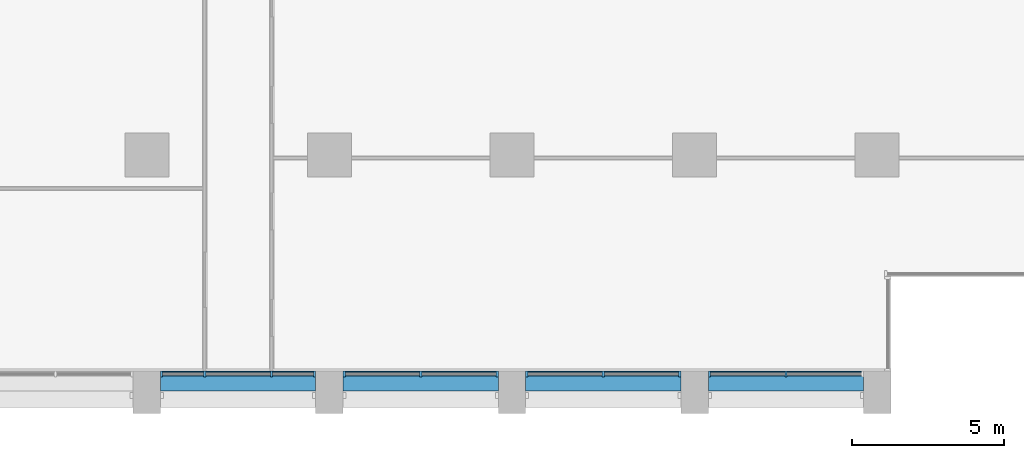
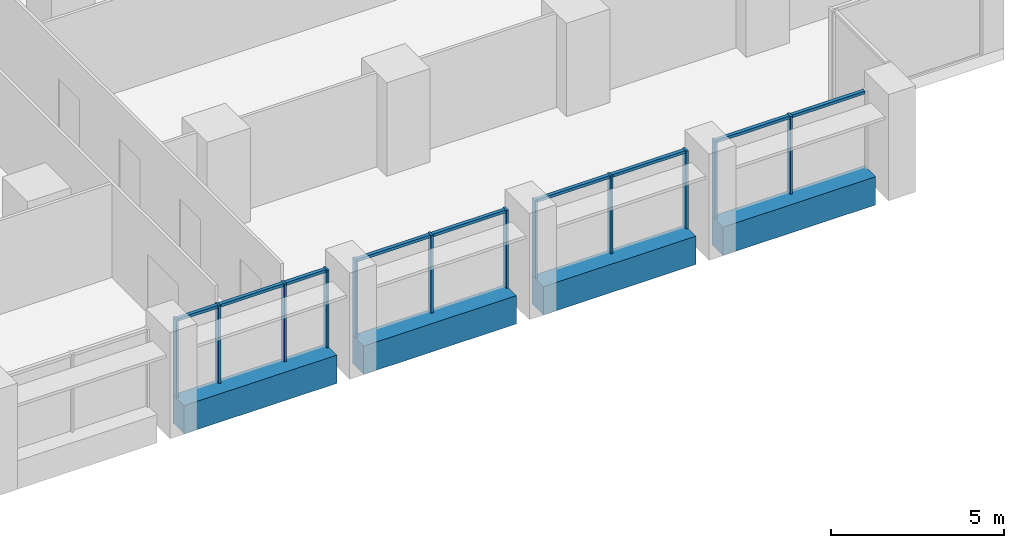
# One storey, part 3 of 17: 21 members, 4 beams, 4 elements without a shape of their own.
"""IFC4 building model written with IfcOpenShell, lengths in metres."""

from ifc_helpers import new_model, si_unit, direction, frame, origin, origin_2d, place, context, subcontext, project, spatial, rectangle, extrude, material, material_profile, profile_set, type_object, element, aggregate, save


model = new_model("IFC4")

# Units and contexts
model_context = context("Model", 3, precision=1e-05, world=origin(), true_north=direction((0.0, 1.0)))
body_context = subcontext(model_context, "Body", "Model", "MODEL_VIEW")
ifc_project = project(units=[si_unit("LENGTHUNIT", "METRE"), si_unit("AREAUNIT", "SQUARE_METRE"), si_unit("VOLUMEUNIT", "CUBIC_METRE"), si_unit("PLANEANGLEUNIT", "RADIAN"), si_unit("MASSUNIT", "GRAM", prefix="KILO")], contexts=[model_context])

# Site, building, storey
site_placement = place(None, origin())
site = spatial("IfcSite", under=ifc_project, at=site_placement, CompositionType="ELEMENT")
building_placement = place(site_placement, origin())
building = spatial("IfcBuilding", under=site, at=building_placement, Name="Calvaro Tower", CompositionType="ELEMENT")
storey_placement = place(building_placement, frame((0.0, 0.0, 98.75)))
storey = spatial("IfcBuildingStorey", under=building, at=storey_placement, Name="L24", CompositionType="ELEMENT", Elevation=98.75)

# Curtain wall, members
ifc_material_1 = material(Name="Anodised aluminium", Category="aluminium")
curtain_wall_type = type_object("IfcCurtainWallType", Name="Office curtain wall, middle zone", PredefinedType="NOTDEFINED", material=ifc_material_1)
curtain_wall_1_placement = place(storey_placement, origin())
curtain_wall_1 = element("IfcCurtainWall", 1, at=curtain_wall_1_placement, inside=storey, type_object=curtain_wall_type, Name="CW2 south curtain wall", PredefinedType="NOTDEFINED")
ifc_material_2 = material(Name="Anodised aluminium", Category="aluminium")
ifc_material_profile_1 = material_profile(ifc_material_2, rectangle(XDim=0.199951171875, YDim=0.070068359375, at=origin_2d()), Name="Mullion S2 70 x 200")
ifc_profile_set_1 = profile_set([ifc_material_profile_1], Name="Anodised aluminium")
member_type_1 = type_object("IfcMemberType", Name="Mullion S2 70 x 200", PredefinedType="MULLION", material=ifc_profile_set_1)
member_1_placement = place(storey_placement, frame((42.485107421875, 2.800048828125, 0.0), z_axis=(0.0, 0.0, 1.0), x_axis=(0.0, 1.0, 0.0)))
member_1 = element("IfcMember", 2, at=member_1_placement, type_object=member_type_1, Name="CW2 mullion 1", PredefinedType="MULLION", context=body_context, shape_type="SweptSolid", body=[
    extrude(rectangle(XDim=0.199951171875, YDim=0.070068359375, at=origin_2d()), origin(), (0.0, 0.0, 1.0), 2.75),
])
member_2_placement = place(storey_placement, frame((43.89990234375, 2.800048828125, 0.0), z_axis=(0.0, 0.0, 1.0), x_axis=(0.0, 1.0, 0.0)))
member_2 = element("IfcMember", 3, at=member_2_placement, type_object=member_type_1, Name="CW2 mullion 2", PredefinedType="MULLION", context=body_context, shape_type="SweptSolid", body=[
    extrude(rectangle(XDim=0.199951171875, YDim=0.070068359375, at=origin_2d()), origin(), (0.0, 0.0, 1.0), 2.75),
])
member_3_placement = place(storey_placement, frame((46.10009765625, 2.800048828125, 0.0), z_axis=(0.0, 0.0, 1.0), x_axis=(0.0, 1.0, 0.0)))
member_3 = element("IfcMember", 4, at=member_3_placement, type_object=member_type_1, Name="CW2 mullion 3", PredefinedType="MULLION", context=body_context, shape_type="SweptSolid", body=[
    extrude(rectangle(XDim=0.199951171875, YDim=0.070068359375, at=origin_2d()), origin(), (0.0, 0.0, 1.0), 2.75),
])
member_4_placement = place(storey_placement, frame((47.514892578125, 2.800048828125, 0.0), z_axis=(0.0, 0.0, 1.0), x_axis=(0.0, 1.0, 0.0)))
member_4 = element("IfcMember", 5, at=member_4_placement, type_object=member_type_1, Name="CW2 mullion 4", PredefinedType="MULLION", context=body_context, shape_type="SweptSolid", body=[
    extrude(rectangle(XDim=0.199951171875, YDim=0.070068359375, at=origin_2d()), origin(), (0.0, 0.0, 1.0), 2.75),
])

curtain_wall_2_placement = place(storey_placement, origin())
curtain_wall_2 = element("IfcCurtainWall", 6, at=curtain_wall_2_placement, inside=storey, type_object=curtain_wall_type, Name="CW2 south curtain wall", PredefinedType="NOTDEFINED")
member_5_placement = place(storey_placement, frame((48.485107421875, 2.800048828125, 0.0), z_axis=(0.0, 0.0, 1.0), x_axis=(0.0, 1.0, 0.0)))
member_5 = element("IfcMember", 7, at=member_5_placement, type_object=member_type_1, Name="CW2 mullion 1", PredefinedType="MULLION", context=body_context, shape_type="SweptSolid", body=[
    extrude(rectangle(XDim=0.199951171875, YDim=0.070068359375, at=origin_2d()), origin(), (0.0, 0.0, 1.0), 2.75),
])
member_6_placement = place(storey_placement, frame((51.0, 2.800048828125, 0.0), z_axis=(0.0, 0.0, 1.0), x_axis=(0.0, 1.0, 0.0)))
member_6 = element("IfcMember", 8, at=member_6_placement, type_object=member_type_1, Name="CW2 mullion 2", PredefinedType="MULLION", context=body_context, shape_type="SweptSolid", body=[
    extrude(rectangle(XDim=0.199951171875, YDim=0.070068359375, at=origin_2d()), origin(), (0.0, 0.0, 1.0), 2.75),
])
member_7_placement = place(storey_placement, frame((53.514892578125, 2.800048828125, 0.0), z_axis=(0.0, 0.0, 1.0), x_axis=(0.0, 1.0, 0.0)))
member_7 = element("IfcMember", 9, at=member_7_placement, type_object=member_type_1, Name="CW2 mullion 3", PredefinedType="MULLION", context=body_context, shape_type="SweptSolid", body=[
    extrude(rectangle(XDim=0.199951171875, YDim=0.070068359375, at=origin_2d()), origin(), (0.0, 0.0, 1.0), 2.75),
])

curtain_wall_3_placement = place(storey_placement, origin())
curtain_wall_3 = element("IfcCurtainWall", 10, at=curtain_wall_3_placement, inside=storey, type_object=curtain_wall_type, Name="CW2 south curtain wall", PredefinedType="NOTDEFINED")
member_8_placement = place(storey_placement, frame((54.485107421875, 2.800048828125, 0.0), z_axis=(0.0, 0.0, 1.0), x_axis=(0.0, 1.0, 0.0)))
member_8 = element("IfcMember", 11, at=member_8_placement, type_object=member_type_1, Name="CW2 mullion 1", PredefinedType="MULLION", context=body_context, shape_type="SweptSolid", body=[
    extrude(rectangle(XDim=0.199951171875, YDim=0.070068359375, at=origin_2d()), origin(), (0.0, 0.0, 1.0), 2.75),
])
member_9_placement = place(storey_placement, frame((57.0, 2.800048828125, 0.0), z_axis=(0.0, 0.0, 1.0), x_axis=(0.0, 1.0, 0.0)))
member_9 = element("IfcMember", 12, at=member_9_placement, type_object=member_type_1, Name="CW2 mullion 2", PredefinedType="MULLION", context=body_context, shape_type="SweptSolid", body=[
    extrude(rectangle(XDim=0.199951171875, YDim=0.070068359375, at=origin_2d()), origin(), (0.0, 0.0, 1.0), 2.75),
])
member_10_placement = place(storey_placement, frame((59.514892578125, 2.800048828125, 0.0), z_axis=(0.0, 0.0, 1.0), x_axis=(0.0, 1.0, 0.0)))
member_10 = element("IfcMember", 13, at=member_10_placement, type_object=member_type_1, Name="CW2 mullion 3", PredefinedType="MULLION", context=body_context, shape_type="SweptSolid", body=[
    extrude(rectangle(XDim=0.199951171875, YDim=0.070068359375, at=origin_2d()), origin(), (0.0, 0.0, 1.0), 2.75),
])

curtain_wall_4_placement = place(storey_placement, origin())
curtain_wall_4 = element("IfcCurtainWall", 14, at=curtain_wall_4_placement, inside=storey, type_object=curtain_wall_type, Name="CW2 south curtain wall", PredefinedType="NOTDEFINED")
member_11_placement = place(storey_placement, frame((60.485107421875, 2.800048828125, 0.0), z_axis=(0.0, 0.0, 1.0), x_axis=(0.0, 1.0, 0.0)))
member_11 = element("IfcMember", 15, at=member_11_placement, type_object=member_type_1, Name="CW2 mullion 1", PredefinedType="MULLION", context=body_context, shape_type="SweptSolid", body=[
    extrude(rectangle(XDim=0.199951171875, YDim=0.070068359375, at=origin_2d()), origin(), (0.0, 0.0, 1.0), 2.75),
])
member_12_placement = place(storey_placement, frame((63.0, 2.800048828125, 0.0), z_axis=(0.0, 0.0, 1.0), x_axis=(0.0, 1.0, 0.0)))
member_12 = element("IfcMember", 16, at=member_12_placement, type_object=member_type_1, Name="CW2 mullion 2", PredefinedType="MULLION", context=body_context, shape_type="SweptSolid", body=[
    extrude(rectangle(XDim=0.199951171875, YDim=0.070068359375, at=origin_2d()), origin(), (0.0, 0.0, 1.0), 2.75),
])

# Beams
ifc_material_3 = material(Name="Concrete C50/60 precast", Category="concrete")
ifc_material_profile_2 = material_profile(ifc_material_3, rectangle(XDim=0.64990234375, YDim=1.0, at=origin_2d()), Name="RC 650x1000")
ifc_profile_set_2 = profile_set([ifc_material_profile_2], Name="Concrete C50/60 precast")
beam_type = type_object("IfcBeamType", Name="Spandrel beam 650x1000 C50/60", PredefinedType="SPANDREL", material=ifc_profile_set_2)
for number, where, z_axis, x_axis, name in (
    (17, (42.449951171875, 2.574951171875, -0.5), (1.0, 0.0, 0.0), (0.0, 1.0, 0.0), "Spandrel beam"),
    (18, (48.449951171875, 2.574951171875, -0.5), (1.0, 0.0, 0.0), (0.0, 1.0, 0.0), "Spandrel beam"),
    (19, (54.449951171875, 2.574951171875, -0.5), (1.0, 0.0, 0.0), (0.0, 1.0, 0.0), "Spandrel beam"),
    (20, (60.449951171875, 2.574951171875, -0.5), (1.0, 0.0, 0.0), (0.0, 1.0, 0.0), "Spandrel beam"),
):
    element("IfcBeam", number, at=place(storey_placement, frame(where, z_axis=z_axis, x_axis=x_axis)), inside=storey, type_object=beam_type, Name=name, PredefinedType="SPANDREL", context=body_context, shape_type="SweptSolid", body=[
        extrude(rectangle(XDim=0.64990234375, YDim=1.0, at=origin_2d()), origin(), (0.0, 0.0, 1.0), 5.10009765625),
    ])

# Member
ifc_material_4 = material(Name="Anodised aluminium", Category="aluminium")
ifc_material_profile_3 = material_profile(ifc_material_4, rectangle(XDim=0.1201171875, YDim=0.10009765625, at=origin_2d()), Name="Transom S2 100 x 120")
ifc_profile_set_3 = profile_set([ifc_material_profile_3], Name="Anodised aluminium")
member_type_2 = type_object("IfcMemberType", Name="Transom S2 100 x 120", PredefinedType="USERDEFINED", material=ifc_profile_set_3)
member_13_placement = place(storey_placement, frame((42.52001953125, 2.800048828125, 2.699951171875), z_axis=(1.0, 0.0, 0.0), x_axis=(0.0, 1.0, 0.0)))
member_13 = element("IfcMember", 21, at=member_13_placement, type_object=member_type_2, Name="CW2 transom 1.1", ObjectType="TRANSOM", PredefinedType="USERDEFINED", context=body_context, shape_type="SweptSolid", body=[
    extrude(rectangle(XDim=0.1201171875, YDim=0.10009765625, at=origin_2d()), origin(), (0.0, 0.0, 1.0), 1.344970703125),
])

member_14_placement = place(storey_placement, frame((43.93505859375, 2.800048828125, 2.699951171875), z_axis=(1.0, 0.0, 0.0), x_axis=(0.0, 1.0, 0.0)))
member_14 = element("IfcMember", 22, at=member_14_placement, type_object=member_type_2, Name="CW2 transom 2.1", ObjectType="TRANSOM", PredefinedType="USERDEFINED", context=body_context, shape_type="SweptSolid", body=[
    extrude(rectangle(XDim=0.1201171875, YDim=0.10009765625, at=origin_2d()), origin(), (0.0, 0.0, 1.0), 2.1298828125),
])

member_15_placement = place(storey_placement, frame((46.135009765625, 2.800048828125, 2.699951171875), z_axis=(1.0, 0.0, 0.0), x_axis=(0.0, 1.0, 0.0)))
member_15 = element("IfcMember", 23, at=member_15_placement, type_object=member_type_2, Name="CW2 transom 3.1", ObjectType="TRANSOM", PredefinedType="USERDEFINED", context=body_context, shape_type="SweptSolid", body=[
    extrude(rectangle(XDim=0.1201171875, YDim=0.10009765625, at=origin_2d()), origin(), (0.0, 0.0, 1.0), 1.344970703125),
])

aggregate(curtain_wall_1, [member_1, member_2, member_3, member_4, member_13, member_14, member_15])

member_16_placement = place(storey_placement, frame((48.52001953125, 2.800048828125, 2.699951171875), z_axis=(1.0, 0.0, 0.0), x_axis=(0.0, 1.0, 0.0)))
member_16 = element("IfcMember", 24, at=member_16_placement, type_object=member_type_2, Name="CW2 transom 1.1", ObjectType="TRANSOM", PredefinedType="USERDEFINED", context=body_context, shape_type="SweptSolid", body=[
    extrude(rectangle(XDim=0.1201171875, YDim=0.10009765625, at=origin_2d()), origin(), (0.0, 0.0, 1.0), 2.445068359375),
])

member_17_placement = place(storey_placement, frame((51.034912109375, 2.800048828125, 2.699951171875), z_axis=(1.0, 0.0, 0.0), x_axis=(0.0, 1.0, 0.0)))
member_17 = element("IfcMember", 25, at=member_17_placement, type_object=member_type_2, Name="CW2 transom 2.1", ObjectType="TRANSOM", PredefinedType="USERDEFINED", context=body_context, shape_type="SweptSolid", body=[
    extrude(rectangle(XDim=0.1201171875, YDim=0.10009765625, at=origin_2d()), origin(), (0.0, 0.0, 1.0), 2.445068359375),
])

aggregate(curtain_wall_2, [member_5, member_6, member_7, member_16, member_17])

member_18_placement = place(storey_placement, frame((54.52001953125, 2.800048828125, 2.699951171875), z_axis=(1.0, 0.0, 0.0), x_axis=(0.0, 1.0, 0.0)))
member_18 = element("IfcMember", 26, at=member_18_placement, type_object=member_type_2, Name="CW2 transom 1.1", ObjectType="TRANSOM", PredefinedType="USERDEFINED", context=body_context, shape_type="SweptSolid", body=[
    extrude(rectangle(XDim=0.1201171875, YDim=0.10009765625, at=origin_2d()), origin(), (0.0, 0.0, 1.0), 2.445068359375),
])

member_19_placement = place(storey_placement, frame((57.034912109375, 2.800048828125, 2.699951171875), z_axis=(1.0, 0.0, 0.0), x_axis=(0.0, 1.0, 0.0)))
member_19 = element("IfcMember", 27, at=member_19_placement, type_object=member_type_2, Name="CW2 transom 2.1", ObjectType="TRANSOM", PredefinedType="USERDEFINED", context=body_context, shape_type="SweptSolid", body=[
    extrude(rectangle(XDim=0.1201171875, YDim=0.10009765625, at=origin_2d()), origin(), (0.0, 0.0, 1.0), 2.445068359375),
])

aggregate(curtain_wall_3, [member_8, member_9, member_10, member_18, member_19])

member_20_placement = place(storey_placement, frame((60.52001953125, 2.800048828125, 2.699951171875), z_axis=(1.0, 0.0, 0.0), x_axis=(0.0, 1.0, 0.0)))
member_20 = element("IfcMember", 28, at=member_20_placement, type_object=member_type_2, Name="CW2 transom 1.1", ObjectType="TRANSOM", PredefinedType="USERDEFINED", context=body_context, shape_type="SweptSolid", body=[
    extrude(rectangle(XDim=0.1201171875, YDim=0.10009765625, at=origin_2d()), origin(), (0.0, 0.0, 1.0), 2.445068359375),
])

member_21_placement = place(storey_placement, frame((63.034912109375, 2.800048828125, 2.699951171875), z_axis=(1.0, 0.0, 0.0), x_axis=(0.0, 1.0, 0.0)))
member_21 = element("IfcMember", 29, at=member_21_placement, type_object=member_type_2, Name="CW2 transom 2.1", ObjectType="TRANSOM", PredefinedType="USERDEFINED", context=body_context, shape_type="SweptSolid", body=[
    extrude(rectangle(XDim=0.1201171875, YDim=0.10009765625, at=origin_2d()), origin(), (0.0, 0.0, 1.0), 2.445068359375),
])

aggregate(curtain_wall_4, [member_11, member_12, member_20, member_21])

save(model, "model.ifc")
